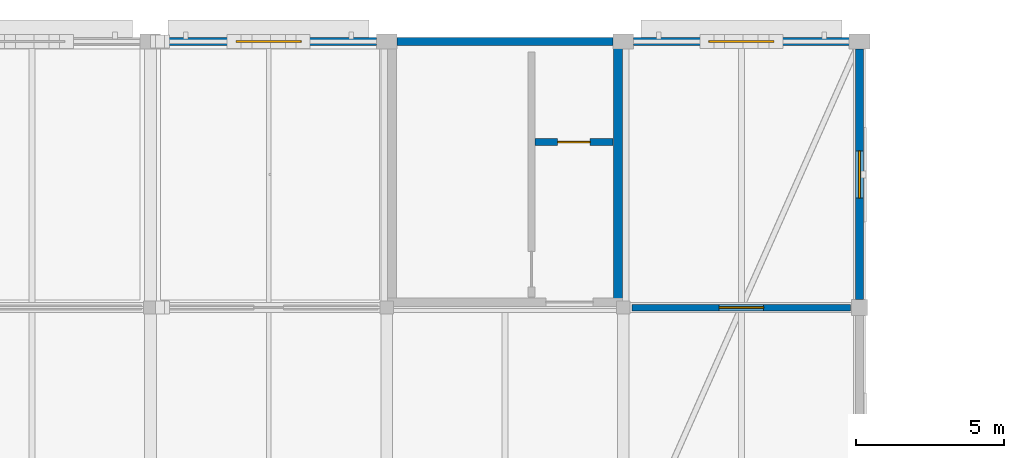
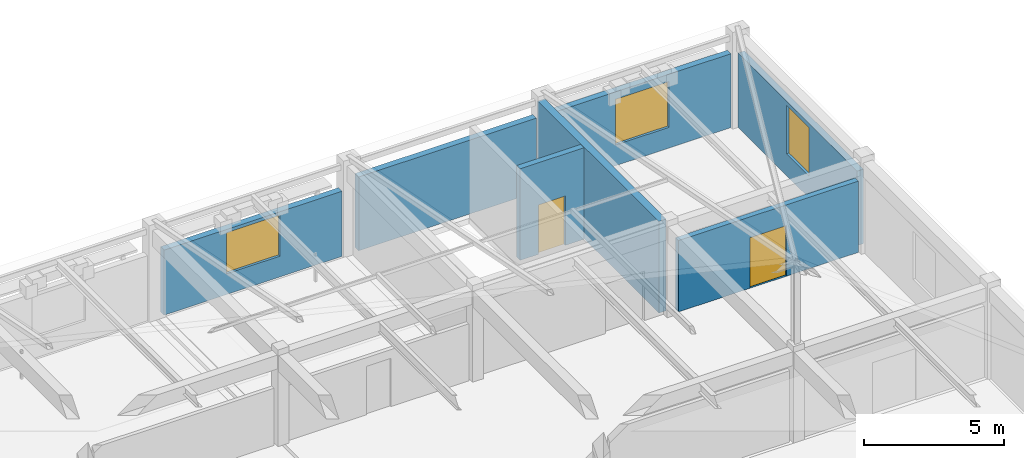
# One storey, part 102 of 126: 7 walls, 3 windows, 2 doors, 5 openings.
"""IFC4 building model written with IfcOpenShell, lengths in metres."""

from ifc_helpers import new_model, si_unit, direction, frame, frame_2d, origin, place, context, subcontext, project, spatial, rectangle, extrude, material, layer, layer_set, type_object, element, fill, save


model = new_model("IFC4")

# Units and contexts
model_context = context("Model", 3, precision=1e-05, world=origin(), true_north=direction((0.0, 1.0)))
body_context = subcontext(model_context, "Body", "Model", "MODEL_VIEW")
ifc_project = project(units=[si_unit("LENGTHUNIT", "METRE"), si_unit("AREAUNIT", "SQUARE_METRE"), si_unit("VOLUMEUNIT", "CUBIC_METRE"), si_unit("PLANEANGLEUNIT", "RADIAN"), si_unit("MASSUNIT", "GRAM", prefix="KILO")], contexts=[model_context])

# Site, building, storey
site_placement = place(None, origin())
site = spatial("IfcSite", under=ifc_project, at=site_placement, CompositionType="ELEMENT")
building_placement = place(site_placement, origin())
building = spatial("IfcBuilding", under=site, at=building_placement, Name="Varnabhumi Central Station", CompositionType="ELEMENT")
storey_placement = place(building_placement, frame((0.0, 0.0, 16.199951171875)))
storey = spatial("IfcBuildingStorey", under=building, at=storey_placement, Name="L03", CompositionType="ELEMENT", Elevation=16.199951171875)

# Wall, opening, door
ifc_material_1 = material(Name="Autoclaved aerated blockwork masonry", Category="masonry")
ifc_layer_1 = layer(ifc_material_1, 0.219970703125, Name="Autoclaved aerated blockwork masonry", Category="masonry")
ifc_layer_set_1 = layer_set([ifc_layer_1], Name="Autoclaved aerated blockwork masonry")
wall_type_1 = type_object("IfcWallType", Name="WAL-COMP-AAC-220", PredefinedType="SOLIDWALL", material=ifc_layer_set_1)
wall_1_placement = place(storey_placement, frame((136.300048828125, 107.0, 0.0), z_axis=(0.0, 0.0, 1.0), x_axis=(1.0, 0.0, 0.0)))
wall_1 = element("IfcWall", 1, at=wall_1_placement, inside=storey, type_object=wall_type_1, Name="North Wing AHU Plant Room Corridor Partition 1", PredefinedType="SOLIDWALL", context=body_context, shape_type="SweptSolid", body=[
    extrude(rectangle(XDim=7.39990234375, YDim=0.219970703125, at=frame_2d((3.699951171875, 0.0))), origin(), (0.0, 0.0, 1.0), 3.10009765625),
])
opening_1_placement = place(wall_1_placement, frame((2.949951171875, 0.0, 0.0)))
opening_1 = element("IfcOpeningElement", 2, at=opening_1_placement, cuts=wall_1, Name="Opening FD-PLT", PredefinedType="OPENING", context=body_context, shape_type="SweptSolid", body=[
    extrude(rectangle(XDim=1.5, YDim=2.199951171875, at=frame_2d((0.75, 1.10009765625))), frame((0.0, 0.119873046875, 0.0), z_axis=(0.0, -1.0, 0.0), x_axis=(1.0, 0.0, 0.0)), (0.0, 0.0, 1.0), 0.239990234375),
])
ifc_material_2 = material(Name="Stainless steel Grade 316", Category="steel")
door_type_1 = type_object("IfcDoorType", Name="DR-PLANT-1500", OperationType="NOTDEFINED", PredefinedType="DOOR", material=ifc_material_2)
door_1_placement = place(opening_1_placement, frame((1.5, 0.0, 0.0), z_axis=(0.0, 0.0, 1.0), x_axis=(-1.0, 0.0, 0.0)))
door_1 = element("IfcDoor", 3, at=door_1_placement, inside=storey, type_object=door_type_1, Name="North Wing AHU Plant Room Door 1", OperationType="SINGLE_SWING_RIGHT", OverallHeight=2.199951171875, OverallWidth=1.5, PredefinedType="DOOR", context=body_context, shape_type="SweptSolid", body=[
    extrude(rectangle(XDim=1.5, YDim=2.199951171875, at=frame_2d((0.75, 1.10009765625))), frame((0.0, 0.02490234375, 0.0), z_axis=(0.0, -1.0, 0.0), x_axis=(1.0, 0.0, 0.0)), (0.0, 0.0, 1.0), 0.050048828125),
])
fill(opening_1, door_1)

# Wall
ifc_material_3 = material(Name="Concrete M40", Category="concrete")
ifc_layer_2 = layer(ifc_material_3, 0.300048828125, Name="Concrete M40", Category="concrete")
ifc_layer_set_2 = layer_set([ifc_layer_2], Name="Concrete M40")
wall_type_2 = type_object("IfcWallType", Name="WAL-CORE-RC-300", PredefinedType="SHEAR", material=ifc_layer_set_2)
wall_2_placement = place(storey_placement, frame((135.820068359375, 107.179931640625, 0.0), z_axis=(0.0, 0.0, 1.0), x_axis=(0.0, 1.0, 0.0)))
element("IfcWall", 4, at=wall_2_placement, inside=storey, type_object=wall_type_2, Name="NC3 L03 East Shear Wall", PredefinedType="SHEAR", context=body_context, shape_type="SweptSolid", body=[
    extrude(rectangle(XDim=8.64013671875, YDim=0.300048828125, at=frame_2d((4.320068359375, 0.0))), origin(), (0.0, 0.0, 1.0), 3.97998046875),
])

# Wall, opening, window
ifc_layer_3 = layer(ifc_material_1, 0.260009765625, Name="Autoclaved aerated blockwork masonry", Category="masonry")
ifc_layer_set_3 = layer_set([ifc_layer_3], Name="Autoclaved aerated blockwork masonry")
wall_type_3 = type_object("IfcWallType", Name="WAL-EXT-STUCCO-260", PredefinedType="SOLIDWALL", material=ifc_layer_set_3)
wall_3_placement = place(storey_placement, frame((120.344970703125, 116.0, 0.0), z_axis=(0.0, 0.0, 1.0), x_axis=(1.0, 0.0, 0.0)))
wall_3 = element("IfcWall", 5, at=wall_3_placement, inside=storey, type_object=wall_type_3, Name="North Boulevard Wall L03-13", PredefinedType="SOLIDWALL", context=body_context, shape_type="SweptSolid", body=[
    extrude(rectangle(XDim=7.31005859375, YDim=0.260009765625, at=frame_2d((3.655029296875, 0.0))), origin(), (0.0, 0.0, 1.0), 2.830078125),
])
opening_2_placement = place(wall_3_placement, frame((2.554931640625, 0.0, 0.89990234375)))
opening_2 = element("IfcOpeningElement", 6, at=opening_2_placement, cuts=wall_3, Name="Opening W-03", PredefinedType="OPENING", context=body_context, shape_type="SweptSolid", body=[
    extrude(rectangle(XDim=2.199951171875, YDim=1.7900390625, at=frame_2d((1.10009765625, 0.89501953125))), frame((0.0, 0.139892578125, 0.0), z_axis=(0.0, -1.0, 0.0), x_axis=(1.0, 0.0, 0.0)), (0.0, 0.0, 1.0), 0.280029296875),
])
ifc_material_4 = material(Name="Laminated low-E double glazing", Category="glass")
window_type_1 = type_object("IfcWindowType", Name="WIN-PIER-2200x2200", PartitioningType="DOUBLE_PANEL_VERTICAL", PredefinedType="WINDOW", material=ifc_material_4)
window_1_placement = place(opening_2_placement, origin())
window_1 = element("IfcWindow", 7, at=window_1_placement, inside=storey, type_object=window_type_1, Name="North Facade Window L03-13", OverallHeight=1.7900390625, OverallWidth=2.199951171875, PartitioningType="SINGLE_PANEL", PredefinedType="WINDOW", context=body_context, shape_type="SweptSolid", body=[
    extrude(rectangle(XDim=2.199951171875, YDim=1.7900390625, at=frame_2d((1.10009765625, 0.89501953125))), frame((0.0, 0.030029296875, 0.0), z_axis=(0.0, -1.0, 0.0), x_axis=(1.0, 0.0, 0.0)), (0.0, 0.0, 1.0), 0.06005859375),
])
fill(opening_2, window_1)

# Wall
wall_4_placement = place(storey_placement, frame((128.344970703125, 116.0, 0.0), z_axis=(0.0, 0.0, 1.0), x_axis=(1.0, 0.0, 0.0)))
element("IfcWall", 8, at=wall_4_placement, inside=storey, type_object=wall_type_3, Name="North Boulevard Wall L03-14", PredefinedType="SOLIDWALL", context=body_context, shape_type="SweptSolid", body=[
    extrude(rectangle(XDim=7.31005859375, YDim=0.260009765625, at=frame_2d((3.655029296875, 0.0))), origin(), (0.0, 0.0, 1.0), 3.2099609375),
])

# Wall, opening, window
wall_5_placement = place(storey_placement, frame((136.344970703125, 116.0, 0.0), z_axis=(0.0, 0.0, 1.0), x_axis=(1.0, 0.0, 0.0)))
wall_5 = element("IfcWall", 9, at=wall_5_placement, inside=storey, type_object=wall_type_3, Name="North Boulevard Wall L03-15", PredefinedType="SOLIDWALL", context=body_context, shape_type="SweptSolid", body=[
    extrude(rectangle(XDim=7.31005859375, YDim=0.260009765625, at=frame_2d((3.655029296875, 0.0))), origin(), (0.0, 0.0, 1.0), 3.2099609375),
])
opening_3_placement = place(wall_5_placement, frame((2.554931640625, 0.0, 0.89990234375)))
opening_3 = element("IfcOpeningElement", 10, at=opening_3_placement, cuts=wall_5, Name="Opening W-03", PredefinedType="OPENING", context=body_context, shape_type="SweptSolid", body=[
    extrude(rectangle(XDim=2.199951171875, YDim=1.989990234375, at=frame_2d((1.10009765625, 0.9951171875))), frame((0.0, 0.139892578125, 0.0), z_axis=(0.0, -1.0, 0.0), x_axis=(1.0, 0.0, 0.0)), (0.0, 0.0, 1.0), 0.280029296875),
])
window_2_placement = place(opening_3_placement, origin())
window_2 = element("IfcWindow", 11, at=window_2_placement, inside=storey, type_object=window_type_1, Name="North Facade Window L03-15", OverallHeight=1.989990234375, OverallWidth=2.199951171875, PartitioningType="SINGLE_PANEL", PredefinedType="WINDOW", context=body_context, shape_type="SweptSolid", body=[
    extrude(rectangle(XDim=2.199951171875, YDim=1.989990234375, at=frame_2d((1.10009765625, 0.9951171875))), frame((0.0, 0.030029296875, 0.0), z_axis=(0.0, -1.0, 0.0), x_axis=(1.0, 0.0, 0.0)), (0.0, 0.0, 1.0), 0.06005859375),
])
fill(opening_3, window_2)

wall_6_placement = place(storey_placement, frame((144.0, 107.27001953125, 0.0), z_axis=(0.0, 0.0, 1.0), x_axis=(0.0, 1.0, 0.0)))
wall_6 = element("IfcWall", 12, at=wall_6_placement, inside=storey, type_object=wall_type_3, Name="North Wing W End Wall L03-4", PredefinedType="SOLIDWALL", context=body_context, shape_type="SweptSolid", body=[
    extrude(rectangle(XDim=8.48486328125, YDim=0.260009765625, at=frame_2d((4.242431640625, 0.0))), origin(), (0.0, 0.0, 1.0), 3.239990234375),
])
opening_4_placement = place(wall_6_placement, frame((3.429931640625, 0.0, 0.949951171875)))
opening_4 = element("IfcOpeningElement", 13, at=opening_4_placement, cuts=wall_6, Name="Opening W-04", PredefinedType="OPENING", context=body_context, shape_type="SweptSolid", body=[
    extrude(rectangle(XDim=1.60009765625, YDim=2.10009765625, at=frame_2d((0.800048828125, 1.050048828125))), frame((0.0, 0.139892578125, 0.0), z_axis=(0.0, -1.0, 0.0), x_axis=(1.0, 0.0, 0.0)), (0.0, 0.0, 1.0), 0.280029296875),
])
window_type_2 = type_object("IfcWindowType", Name="WIN-PIER-1600x2200", PartitioningType="SINGLE_PANEL", PredefinedType="WINDOW", material=ifc_material_4)
window_3_placement = place(opening_4_placement, origin())
window_3 = element("IfcWindow", 14, at=window_3_placement, inside=storey, type_object=window_type_2, Name="North W Window L03-4", OverallHeight=2.10009765625, OverallWidth=1.60009765625, PartitioningType="SINGLE_PANEL", PredefinedType="WINDOW", context=body_context, shape_type="SweptSolid", body=[
    extrude(rectangle(XDim=1.60009765625, YDim=2.10009765625, at=frame_2d((0.800048828125, 1.050048828125))), frame((0.0, 0.030029296875, 0.0), z_axis=(0.0, -1.0, 0.0), x_axis=(1.0, 0.0, 0.0)), (0.0, 0.0, 1.0), 0.06005859375),
])
fill(opening_4, window_3)

# Wall, opening, door
ifc_layer_4 = layer(ifc_material_3, 0.239990234375, Name="Concrete M40", Category="concrete")
ifc_layer_set_4 = layer_set([ifc_layer_4], Name="Concrete M40")
wall_type_4 = type_object("IfcWallType", Name="WAL-SHAFT-RC-240", PredefinedType="SHEAR", material=ifc_layer_set_4)
wall_7_placement = place(storey_placement, frame((133.02001953125, 112.60009765625, 0.0), z_axis=(0.0, 0.0, 1.0), x_axis=(1.0, 0.0, 0.0)))
wall_7 = element("IfcWall", 15, at=wall_7_placement, inside=storey, type_object=wall_type_4, Name="PL-6 L03 Lift Shaft Front Wall", PredefinedType="SHEAR", context=body_context, shape_type="SweptSolid", body=[
    extrude(rectangle(XDim=2.6298828125, YDim=0.239990234375, at=frame_2d((1.31494140625, 0.0))), origin(), (0.0, 0.0, 1.0), 3.97998046875),
])
opening_5_placement = place(wall_7_placement, frame((0.764892578125, 0.0, 0.0)))
opening_5 = element("IfcOpeningElement", 16, at=opening_5_placement, cuts=wall_7, Name="Opening LD-PL-6", PredefinedType="OPENING", context=body_context, shape_type="SweptSolid", body=[
    extrude(rectangle(XDim=1.10009765625, YDim=2.14990234375, at=frame_2d((0.550048828125, 1.074951171875))), frame((0.0, 0.1298828125, 0.0), z_axis=(0.0, -1.0, 0.0), x_axis=(1.0, 0.0, 0.0)), (0.0, 0.0, 1.0), 0.260009765625),
])
door_type_2 = type_object("IfcDoorType", Name="DR-LIFT-PASS-1100", OperationType="NOTDEFINED", PredefinedType="DOOR", material=ifc_material_2)
door_2_placement = place(opening_5_placement, origin())
door_2 = element("IfcDoor", 17, at=door_2_placement, inside=storey, type_object=door_type_2, Name="Lift Landing Door PL-6 L03", OperationType="DOUBLE_DOOR_SLIDING", OverallHeight=2.14990234375, OverallWidth=1.10009765625, PredefinedType="DOOR", context=body_context, shape_type="SweptSolid", body=[
    extrude(rectangle(XDim=1.10009765625, YDim=2.14990234375, at=frame_2d((0.550048828125, 1.074951171875))), frame((0.0, 0.02490234375, 0.0), z_axis=(0.0, -1.0, 0.0), x_axis=(1.0, 0.0, 0.0)), (0.0, 0.0, 1.0), 0.050048828125),
])
fill(opening_5, door_2)

save(model, "model.ifc")
